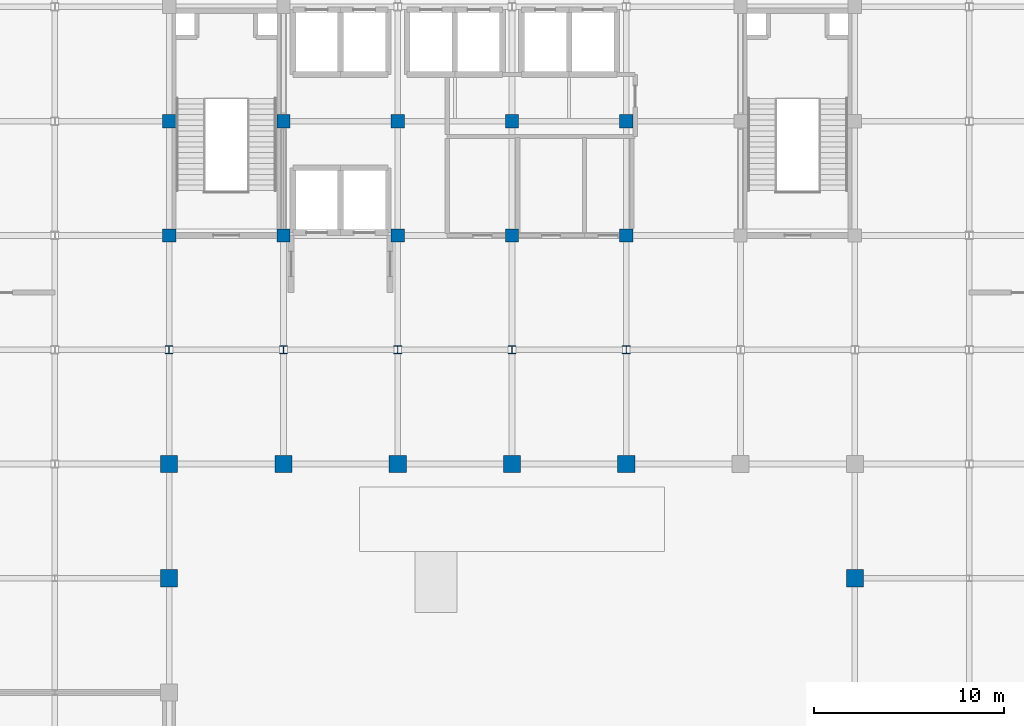
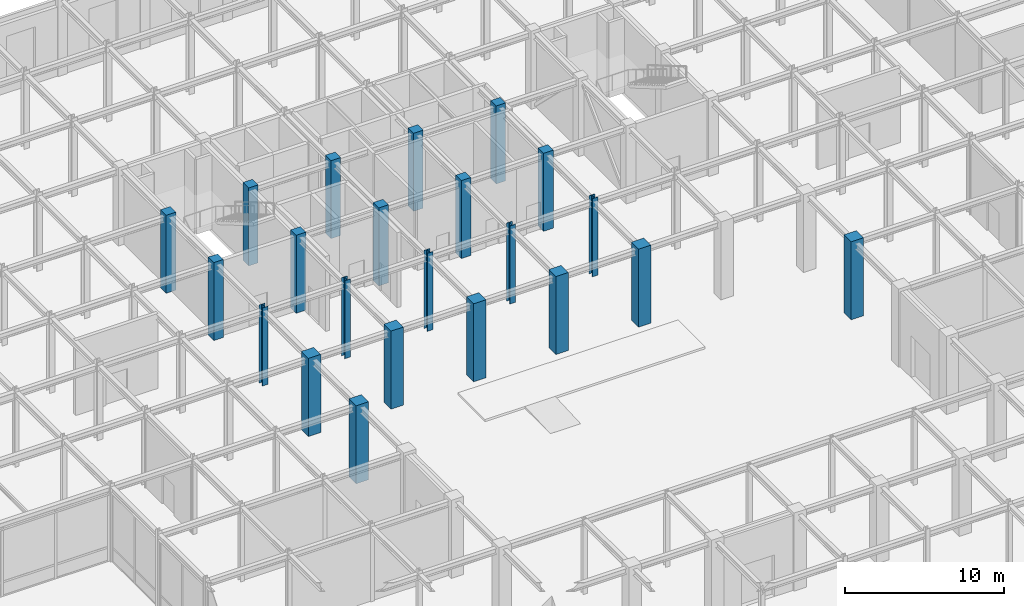
# One storey, part 17 of 108: 22 columns.
"""IFC4 building model written with IfcOpenShell, lengths in metres."""

import ifcopenshell
import ifcopenshell.guid

model = None  # the IFC model being written
_history = None  # IfcOwnerHistory: only IFC2X3 demands one
_inside = {}  # id of a spatial element -> (the spatial element, [elements in it])
_under = {}  # id of a project, library or spatial element -> (it, [spatial elements below it])
_declared = {}  # id of a project -> (the project, [libraries it declares])
_typed = {}  # id of a type object -> (the type object, [elements of that type])
_made_of = {}  # id of a material, layer set ... -> (it, [elements and type objects made of it])


def new_model(schema):
    """Start an empty IFC model of exactly this schema.

    Asked for "IFC4X3", IfcOpenShell would pick the latest addendum, in which some entities
    have other attributes; the version numbers below select the first issue.
    IFC2X3 requires an IfcOwnerHistory on every rooted entity: one is made here for all.
    """
    global model, _history
    if schema == "IFC4X3":
        model = ifcopenshell.file(schema_version=(4, 3, 0, 0))
    else:
        model = ifcopenshell.file(schema=schema)
    _inside.clear()
    _under.clear()
    _declared.clear()
    _typed.clear()
    _made_of.clear()
    _history = None
    if model.schema == "IFC2X3":
        org = make("IfcOrganization", Name="unknown")
        user = make(
            "IfcPersonAndOrganization",
            ThePerson=make("IfcPerson", FamilyName="unknown"),
            TheOrganization=org,
        )
        app = make(
            "IfcApplication",
            ApplicationDeveloper=org,
            Version="unknown",
            ApplicationFullName="unknown",
            ApplicationIdentifier="unknown",
        )
        _history = make(
            "IfcOwnerHistory",
            OwningUser=user,
            OwningApplication=app,
            ChangeAction="ADDED",
            CreationDate=0,
        )
    return model


def make(cls, **values):
    """One entity of the class cls with the attributes given. An attribute that is None is left unset."""
    return model.create_entity(
        cls, **{name: value for name, value in values.items() if value is not None}
    )


def rooted(cls, **values):
    """An entity with a GlobalId (a new one), such as an element, a storey or a relation."""
    return make(cls, GlobalId=ifcopenshell.guid.new(), OwnerHistory=_history, **values)


def si_unit(unit_type, name, prefix=None):
    """IfcSIUnit, for example si_unit("LENGTHUNIT", "METRE", prefix="MILLI")."""
    return make("IfcSIUnit", UnitType=unit_type, Prefix=prefix, Name=name)


def assignment(units):
    """IfcUnitAssignment: the units of a project."""
    return None if units is None else make("IfcUnitAssignment", Units=units)


def point(xyz):
    """IfcCartesianPoint."""
    return None if xyz is None else make("IfcCartesianPoint", Coordinates=xyz)


def direction(xyz):
    """IfcDirection."""
    return None if xyz is None else make("IfcDirection", DirectionRatios=xyz)


def frame(location, z_axis=None, x_axis=None):
    """IfcAxis2Placement3D, a coordinate frame: its origin and axes. An axis left out is left unset."""
    return make(
        "IfcAxis2Placement3D",
        Location=point(location),
        Axis=direction(z_axis),
        RefDirection=direction(x_axis),
    )


def frame_2d(location, x_axis=None):
    """IfcAxis2Placement2D, a coordinate frame in the plane: its origin and x axis."""
    return make(
        "IfcAxis2Placement2D", Location=point(location), RefDirection=direction(x_axis)
    )


def origin():
    """The frame at (0, 0, 0) with its axes left unset."""
    return frame((0.0, 0.0, 0.0))


def origin_2d():
    """The frame at (0, 0) in the plane with its x axis left unset."""
    return frame_2d((0.0, 0.0))


def place(relative_to, where):
    """IfcLocalPlacement: puts the frame where relative to a parent placement (None: the world)."""
    return make(
        "IfcLocalPlacement", PlacementRelTo=relative_to, RelativePlacement=where
    )


def context(
    kind, dimensions, precision=None, world=None, true_north=None, identifier=None
):
    """IfcGeometricRepresentationContext, for example the 3D "Model" context."""
    return make(
        "IfcGeometricRepresentationContext",
        ContextIdentifier=identifier,
        ContextType=kind,
        CoordinateSpaceDimension=dimensions,
        Precision=precision,
        WorldCoordinateSystem=world,
        TrueNorth=true_north,
    )


def subcontext(parent, identifier, kind, view, scale=None):
    """IfcGeometricRepresentationSubContext, for example "Body" below "Model"."""
    return make(
        "IfcGeometricRepresentationSubContext",
        ContextIdentifier=identifier,
        ContextType=kind,
        ParentContext=parent,
        TargetScale=scale,
        TargetView=view,
    )


def project(units=None, contexts=None):
    """IfcProject with its units and contexts."""
    return rooted(
        "IfcProject",
        Name="project",
        RepresentationContexts=contexts,
        UnitsInContext=assignment(units),
    )


def spatial(cls, under=None, at=None, **own):
    """A site, building, storey or space (cls), placed at a placement, below another one or the project."""
    s = rooted(cls, ObjectPlacement=at, **own)
    if under is not None:
        _under.setdefault(under.id(), (under, []))[1].append(s)
    return s


def profile(cls, at=None, kind="AREA", **sizes):
    """A parametric profile (cls). Its sizes go by their IFC names, for example OverallWidth=200.0."""
    return make(cls, ProfileType=kind, Position=at, **sizes)


def rectangle(**sizes):
    """IfcRectangleProfileDef."""
    return profile("IfcRectangleProfileDef", **sizes)


def i_section(**sizes):
    """IfcIShapeProfileDef."""
    return profile("IfcIShapeProfileDef", **sizes)


def extrude(swept, where, along, depth):
    """IfcExtrudedAreaSolid: the profile swept, set in the frame where, extruded along a direction by depth."""
    return make(
        "IfcExtrudedAreaSolid",
        SweptArea=swept,
        Position=where,
        ExtrudedDirection=direction(along),
        Depth=depth,
    )


def shape(context_of_items, identifier, shape_type, items):
    """IfcShapeRepresentation: the items that make up one representation, for example the "Body"."""
    return make(
        "IfcShapeRepresentation",
        ContextOfItems=context_of_items,
        RepresentationIdentifier=identifier,
        RepresentationType=shape_type,
        Items=items,
    )


def material(Name=None, Category=None):
    """IfcMaterial."""
    return make("IfcMaterial", Name=Name, Category=Category)


def material_profile(
    of_material, cross_section, Name=None, Category=None, Priority=None
):
    """IfcMaterialProfile: a cross section and its material."""
    return make(
        "IfcMaterialProfile",
        Name=Name,
        Material=of_material,
        Profile=cross_section,
        Priority=Priority,
        Category=Category,
    )


def profile_set(profiles, Name=None, composite=None):
    """IfcMaterialProfileSet."""
    return make(
        "IfcMaterialProfileSet",
        Name=Name,
        MaterialProfiles=profiles,
        CompositeProfile=composite,
    )


def made_of(thing, what):
    """Note that an element or type object is made of a material, layer set ...; save() writes the relation."""
    if what is not None:
        _made_of.setdefault(what.id(), (what, []))[1].append(thing)
    return thing


def type_object(cls, material=None, **own):
    """A type object (cls), such as IfcWallType, which elements share."""
    return made_of(rooted(cls, **own), material)


def element(
    cls,
    number,
    at=None,
    inside=None,
    cuts=None,
    type_object=None,
    material=None,
    context=None,
    identifier="Body",
    shape_type=None,
    held_by="IfcProductDefinitionShape",
    body=None,
    shapes=None,
    **own,
):
    """One element of the class cls, such as IfcWall. Its Tag is "e" and its number.

    at: its placement. inside: the storey or other place that contains it. cuts: it is an
    opening in that element (IfcRelVoidsElement). A single representation is given by context,
    identifier, shape_type and body (its items); several are given by shapes. held_by: the class
    of the entity that holds the representations. save() writes the other relations.
    """
    e = rooted(cls, Tag="e%d" % number, ObjectPlacement=at, **own)
    if body is not None:
        shapes = [shape(context, identifier, shape_type, body)]
    if shapes is not None:
        e.Representation = make(held_by, Representations=shapes)
    if inside is not None:
        _inside.setdefault(inside.id(), (inside, []))[1].append(e)
    if cuts is not None:
        rooted(
            "IfcRelVoidsElement", RelatingBuildingElement=cuts, RelatedOpeningElement=e
        )
    if type_object is not None:
        _typed.setdefault(type_object.id(), (type_object, []))[1].append(e)
    return made_of(e, material)


def aggregate(whole, parts):
    """IfcRelAggregates: a whole, such as a stair, and the parts it consists of."""
    return rooted("IfcRelAggregates", RelatingObject=whole, RelatedObjects=parts)


def save(model, path):
    """Write the relations noted so far, then the file.

    IfcRelAggregates (storeys below a building ...), IfcRelContainedInSpatialStructure (elements
    in a storey), IfcRelDefinesByType, IfcRelAssociatesMaterial and IfcRelDeclares: one each for
    every whole, place, type object, material and project.
    """
    for whole, parts in _under.values():
        aggregate(whole, parts)
    for where, things in _inside.values():
        rooted(
            "IfcRelContainedInSpatialStructure",
            RelatedElements=things,
            RelatingStructure=where,
        )
    for kind, things in _typed.values():
        rooted("IfcRelDefinesByType", RelatedObjects=things, RelatingType=kind)
    for what, things in _made_of.values():
        rooted("IfcRelAssociatesMaterial", RelatedObjects=things, RelatingMaterial=what)
    for by, libraries in _declared.values():
        rooted("IfcRelDeclares", RelatingContext=by, RelatedDefinitions=libraries)
    model.write(path)


model = new_model("IFC4")

# Units and contexts
model_context = context("Model", 3, precision=1e-05, world=origin(), true_north=direction((0.0, 1.0)))
body_context = subcontext(model_context, "Body", "Model", "MODEL_VIEW")
ifc_project = project(units=[si_unit("LENGTHUNIT", "METRE"), si_unit("AREAUNIT", "SQUARE_METRE"), si_unit("VOLUMEUNIT", "CUBIC_METRE"), si_unit("PLANEANGLEUNIT", "RADIAN"), si_unit("MASSUNIT", "GRAM", prefix="KILO")], contexts=[model_context])

# Site, building, storey
site_placement = place(None, origin())
site = spatial("IfcSite", under=ifc_project, at=site_placement, CompositionType="ELEMENT")
building_placement = place(site_placement, origin())
building = spatial("IfcBuilding", under=site, at=building_placement, Name="Zlatovratsky Civic Hall", CompositionType="ELEMENT")
storey_placement = place(building_placement, frame((0.0, 0.0, 6.0)))
storey = spatial("IfcBuildingStorey", under=building, at=storey_placement, Name="L02", CompositionType="ELEMENT", Elevation=6.0)

# Columns
ifc_material_1 = material(Name="Concrete C35/45 (B40)", Category="concrete")
ifc_material_profile_1 = material_profile(ifc_material_1, rectangle(XDim=0.89990234375, YDim=0.89990234375, at=origin_2d()), Name="RC 900x900")
ifc_profile_set_1 = profile_set([ifc_material_profile_1], Name="Concrete C35/45 (B40)")
column_type_1 = type_object("IfcColumnType", Name="Col_ChamberPier_RC900", PredefinedType="COLUMN", material=ifc_profile_set_1)
for number, where, z_axis, x_axis, name in (
    (1, (66.0, 66.0, 0.0), (0.0, 0.0, 1.0), (1.0, 0.0, 0.0), "CL-0995"),
    (2, (102.0, 66.0, 0.0), (0.0, 0.0, 1.0), (1.0, 0.0, 0.0), "CL-0996"),
    (3, (66.0, 72.0, 0.0), (0.0, 0.0, 1.0), (1.0, 0.0, 0.0), "CL-1013"),
    (4, (72.0, 72.0, 0.0), (0.0, 0.0, 1.0), (1.0, 0.0, 0.0), "CL-1014"),
    (5, (78.0, 72.0, 0.0), (0.0, 0.0, 1.0), (1.0, 0.0, 0.0), "CL-1015"),
    (6, (84.0, 72.0, 0.0), (0.0, 0.0, 1.0), (1.0, 0.0, 0.0), "CL-1016"),
    (7, (90.0, 72.0, 0.0), (0.0, 0.0, 1.0), (1.0, 0.0, 0.0), "CL-1017"),
):
    element("IfcColumn", number, at=place(storey_placement, frame(where, z_axis=z_axis, x_axis=x_axis)), inside=storey, type_object=column_type_1, Name=name, PredefinedType="COLUMN", context=body_context, shape_type="SweptSolid", body=[
        extrude(rectangle(XDim=0.89990234375, YDim=0.89990234375, at=origin_2d()), origin(), (0.0, 0.0, 1.0), 6.0),
    ])
ifc_material_profile_2 = material_profile(ifc_material_1, rectangle(XDim=0.699951171875, YDim=0.699951171875, at=origin_2d()), Name="RC 700x700")
ifc_profile_set_2 = profile_set([ifc_material_profile_2], Name="Concrete C35/45 (B40)")
column_type_2 = type_object("IfcColumnType", Name="Col_CorePier_RC700", PredefinedType="COLUMN", material=ifc_profile_set_2)
for number, where, z_axis, x_axis, name in (
    (8, (66.0, 84.0, 0.0), (0.0, 0.0, 1.0), (1.0, 0.0, 0.0), "CL-1059"),
    (9, (72.0, 84.0, 0.0), (0.0, 0.0, 1.0), (1.0, 0.0, 0.0), "CL-1060"),
    (10, (78.0, 84.0, 0.0), (0.0, 0.0, 1.0), (1.0, 0.0, 0.0), "CL-1061"),
    (11, (84.0, 84.0, 0.0), (0.0, 0.0, 1.0), (1.0, 0.0, 0.0), "CL-1062"),
    (12, (90.0, 84.0, 0.0), (0.0, 0.0, 1.0), (1.0, 0.0, 0.0), "CL-1063"),
    (13, (66.0, 90.0, 0.0), (0.0, 0.0, 1.0), (1.0, 0.0, 0.0), "CL-1082"),
    (14, (72.0, 90.0, 0.0), (0.0, 0.0, 1.0), (1.0, 0.0, 0.0), "CL-1083"),
    (15, (78.0, 90.0, 0.0), (0.0, 0.0, 1.0), (1.0, 0.0, 0.0), "CL-1084"),
    (16, (84.0, 90.0, 0.0), (0.0, 0.0, 1.0), (1.0, 0.0, 0.0), "CL-1085"),
    (17, (90.0, 90.0, 0.0), (0.0, 0.0, 1.0), (1.0, 0.0, 0.0), "CL-1086"),
):
    element("IfcColumn", number, at=place(storey_placement, frame(where, z_axis=z_axis, x_axis=x_axis)), inside=storey, type_object=column_type_2, Name=name, PredefinedType="COLUMN", context=body_context, shape_type="SweptSolid", body=[
        extrude(rectangle(XDim=0.699951171875, YDim=0.699951171875, at=origin_2d()), origin(), (0.0, 0.0, 1.0), 6.0),
    ])
ifc_material_2 = material(Name="Steel S355", Category="steel")
ifc_material_profile_3 = material_profile(ifc_material_2, i_section(OverallWidth=0.405029296875, OverallDepth=0.41796875, WebThickness=0.02001953125, FlangeThickness=0.030029296875, FilletRadius=0.02197265625, at=origin_2d()), Name="40K4")
ifc_profile_set_3 = profile_set([ifc_material_profile_3], Name="Steel S355")
column_type_3 = type_object("IfcColumnType", Name="Col_Steel_40K4", PredefinedType="COLUMN", material=ifc_profile_set_3)
for number, where, z_axis, x_axis, name in (
    (18, (66.0, 78.0, 0.0), (0.0, 0.0, 1.0), (1.0, 0.0, 0.0), "CL-1036"),
    (19, (72.0, 78.0, 0.0), (0.0, 0.0, 1.0), (1.0, 0.0, 0.0), "CL-1037"),
    (20, (78.0, 78.0, 0.0), (0.0, 0.0, 1.0), (1.0, 0.0, 0.0), "CL-1038"),
    (21, (84.0, 78.0, 0.0), (0.0, 0.0, 1.0), (1.0, 0.0, 0.0), "CL-1039"),
    (22, (90.0, 78.0, 0.0), (0.0, 0.0, 1.0), (1.0, 0.0, 0.0), "CL-1040"),
):
    element("IfcColumn", number, at=place(storey_placement, frame(where, z_axis=z_axis, x_axis=x_axis)), inside=storey, type_object=column_type_3, Name=name, PredefinedType="COLUMN", context=body_context, shape_type="SweptSolid", body=[
        extrude(i_section(OverallWidth=0.405029296875, OverallDepth=0.41796875, WebThickness=0.02001953125, FlangeThickness=0.030029296875, FilletRadius=0.02197265625, at=origin_2d()), origin(), (0.0, 0.0, 1.0), 6.0),
    ])

save(model, "model.ifc")
